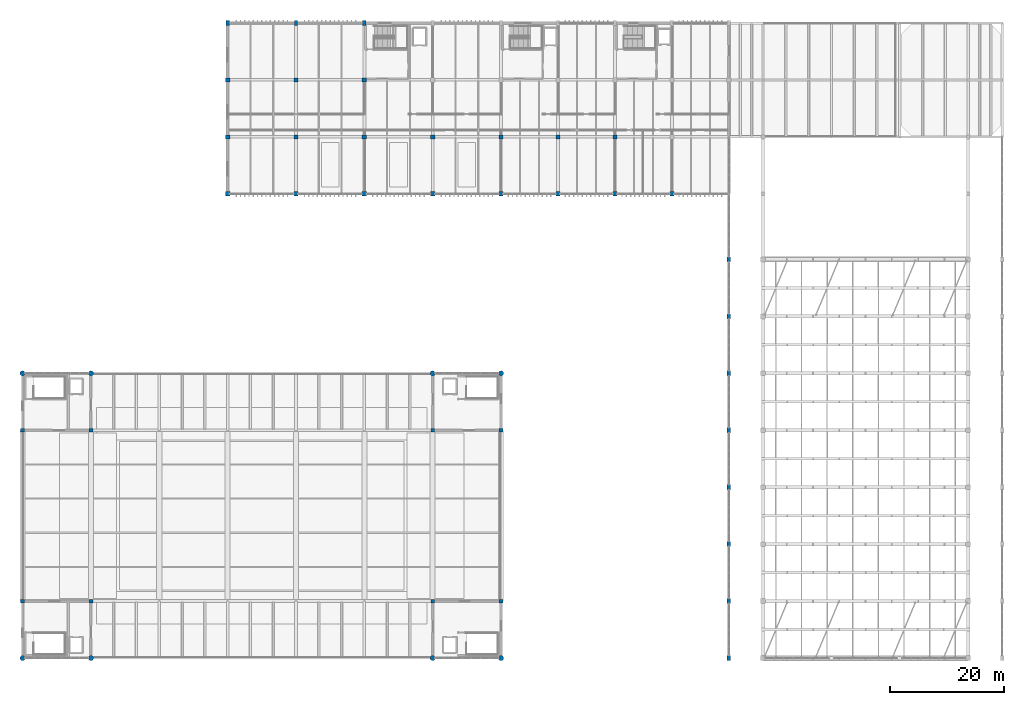
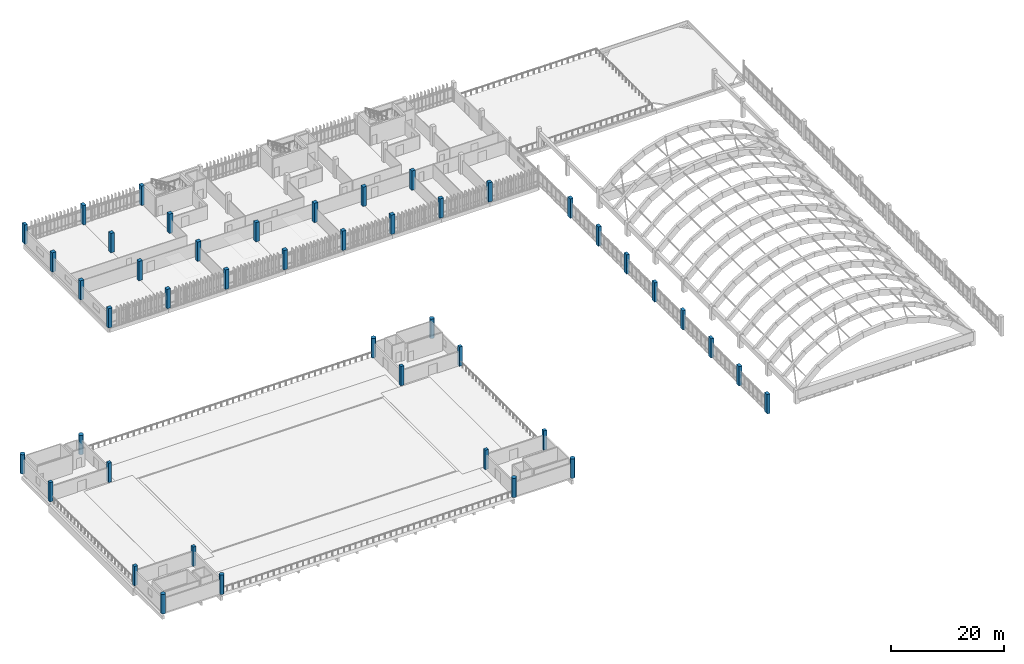
# One storey, part 1 of 111: 45 columns.
"""IFC4 building model written with IfcOpenShell, lengths in metres."""

from ifc_helpers import new_model, si_unit, direction, frame, origin, origin_2d, place, context, subcontext, project, spatial, rectangle, circle, extrude, material, material_profile, profile_set, type_object, element, save


model = new_model("IFC4")

# Units and contexts
model_context = context("Model", 3, precision=1e-05, world=origin(), true_north=direction((0.0, 1.0)))
body_context = subcontext(model_context, "Body", "Model", "MODEL_VIEW")
ifc_project = project(units=[si_unit("LENGTHUNIT", "METRE"), si_unit("AREAUNIT", "SQUARE_METRE"), si_unit("VOLUMEUNIT", "CUBIC_METRE"), si_unit("PLANEANGLEUNIT", "RADIAN"), si_unit("MASSUNIT", "GRAM", prefix="KILO")], contexts=[model_context])

# Site, building, storey
site_placement = place(None, origin())
site = spatial("IfcSite", under=ifc_project, at=site_placement, CompositionType="ELEMENT")
building_placement = place(site_placement, origin())
building = spatial("IfcBuilding", under=site, at=building_placement, Name="Mersad Railyard Sports Hall", CompositionType="ELEMENT")
storey_placement = place(building_placement, frame((0.0, 0.0, 9.0)))
storey = spatial("IfcBuildingStorey", under=building, at=storey_placement, Name="L02", CompositionType="ELEMENT", Elevation=9.0)

# Columns
ifc_material_1 = material(Name="Concrete C50/60", Category="concrete")
ifc_material_profile_1 = material_profile(ifc_material_1, rectangle(XDim=0.75, YDim=0.75, at=origin_2d()), Name="RC 750x750")
ifc_profile_set_1 = profile_set([ifc_material_profile_1], Name="Concrete C50/60")
column_type_1 = type_object("IfcColumnType", Name="STR-COL-C03", PredefinedType="COLUMN", material=ifc_profile_set_1)
for number, where, z_axis, x_axis, name in (
    (1, (43.0, 85.0, 0.0), (0.0, 0.0, 1.0), (1.0, 0.0, 0.0), "Column C03 L02 (43.0,85.0)"),
    (2, (43.0, 95.0, 0.0), (0.0, 0.0, 1.0), (1.0, 0.0, 0.0), "Column C03 L02 (43.0,95.0)"),
    (3, (43.0, 105.0, 0.0), (0.0, 0.0, 1.0), (1.0, 0.0, 0.0), "Column C03 L02 (43.0,105.0)"),
    (4, (55.0, 85.0, 0.0), (0.0, 0.0, 1.0), (1.0, 0.0, 0.0), "Column C03 L02 (55.0,85.0)"),
    (5, (55.0, 95.0, 0.0), (0.0, 0.0, 1.0), (1.0, 0.0, 0.0), "Column C03 L02 (55.0,95.0)"),
    (6, (55.0, 105.0, 0.0), (0.0, 0.0, 1.0), (1.0, 0.0, 0.0), "Column C03 L02 (55.0,105.0)"),
    (7, (67.0, 85.0, 0.0), (0.0, 0.0, 1.0), (1.0, 0.0, 0.0), "Column C03 L02 (67.0,85.0)"),
    (8, (67.0, 95.0, 0.0), (0.0, 0.0, 1.0), (1.0, 0.0, 0.0), "Column C03 L02 (67.0,95.0)"),
    (9, (67.0, 105.0, 0.0), (0.0, 0.0, 1.0), (1.0, 0.0, 0.0), "Column C03 L02 (67.0,105.0)"),
    (10, (79.0, 85.0, 0.0), (0.0, 0.0, 1.0), (1.0, 0.0, 0.0), "Column C03 L02 (79.0,85.0)"),
    (11, (79.0, 95.0, 0.0), (0.0, 0.0, 1.0), (1.0, 0.0, 0.0), "Column C03 L02 (79.0,95.0)"),
    (12, (91.0, 85.0, 0.0), (0.0, 0.0, 1.0), (1.0, 0.0, 0.0), "Column C03 L02 (91.0,85.0)"),
    (13, (91.0, 95.0, 0.0), (0.0, 0.0, 1.0), (1.0, 0.0, 0.0), "Column C03 L02 (91.0,95.0)"),
    (14, (101.0, 85.0, 0.0), (0.0, 0.0, 1.0), (1.0, 0.0, 0.0), "Column C03 L02 (101.0,85.0)"),
    (15, (101.0, 95.0, 0.0), (0.0, 0.0, 1.0), (1.0, 0.0, 0.0), "Column C03 L02 (101.0,95.0)"),
    (16, (111.0, 85.0, 0.0), (0.0, 0.0, 1.0), (1.0, 0.0, 0.0), "Column C03 L02 (111.0,85.0)"),
    (17, (111.0, 95.0, 0.0), (0.0, 0.0, 1.0), (1.0, 0.0, 0.0), "Column C03 L02 (111.0,95.0)"),
    (18, (121.0, 85.0, 0.0), (0.0, 0.0, 1.0), (1.0, 0.0, 0.0), "Column C03 L02 (121.0,85.0)"),
):
    element("IfcColumn", number, at=place(storey_placement, frame(where, z_axis=z_axis, x_axis=x_axis)), inside=storey, type_object=column_type_1, Name=name, PredefinedType="COLUMN", context=body_context, shape_type="SweptSolid", body=[
        extrude(rectangle(XDim=0.75, YDim=0.75, at=origin_2d()), origin(), (0.0, 0.0, 1.0), 4.199951171875),
    ])
ifc_material_2 = material(Name="Concrete C40/50", Category="concrete")
ifc_material_profile_2 = material_profile(ifc_material_2, rectangle(XDim=0.64990234375, YDim=0.64990234375, at=origin_2d()), Name="RC 650x650")
ifc_profile_set_2 = profile_set([ifc_material_profile_2], Name="Concrete C40/50")
column_type_2 = type_object("IfcColumnType", Name="STR-COL-C04", PredefinedType="COLUMN", material=ifc_profile_set_2)
for number, where, z_axis, x_axis, name in (
    (19, (7.0, 13.5, 0.0), (0.0, 0.0, 1.0), (1.0, 0.0, 0.0), "Column C04 L02 (7.0,13.5)"),
    (20, (19.0, 13.5, 0.0), (0.0, 0.0, 1.0), (1.0, 0.0, 0.0), "Column C04 L02 (19.0,13.5)"),
    (21, (79.0, 13.5, 0.0), (0.0, 0.0, 1.0), (1.0, 0.0, 0.0), "Column C04 L02 (79.0,13.5)"),
    (22, (91.0, 13.5, 0.0), (0.0, 0.0, 1.0), (1.0, 0.0, 0.0), "Column C04 L02 (91.0,13.5)"),
    (23, (7.0, 43.5, 0.0), (0.0, 0.0, 1.0), (1.0, 0.0, 0.0), "Column C04 L02 (7.0,43.5)"),
    (24, (19.0, 43.5, 0.0), (0.0, 0.0, 1.0), (1.0, 0.0, 0.0), "Column C04 L02 (19.0,43.5)"),
    (25, (79.0, 43.5, 0.0), (0.0, 0.0, 1.0), (1.0, 0.0, 0.0), "Column C04 L02 (79.0,43.5)"),
    (26, (91.0, 43.5, 0.0), (0.0, 0.0, 1.0), (1.0, 0.0, 0.0), "Column C04 L02 (91.0,43.5)"),
):
    element("IfcColumn", number, at=place(storey_placement, frame(where, z_axis=z_axis, x_axis=x_axis)), inside=storey, type_object=column_type_2, Name=name, PredefinedType="COLUMN", context=body_context, shape_type="SweptSolid", body=[
        extrude(rectangle(XDim=0.64990234375, YDim=0.64990234375, at=origin_2d()), origin(), (0.0, 0.0, 1.0), 4.199951171875),
    ])
ifc_material_profile_3 = material_profile(ifc_material_1, rectangle(XDim=0.60009765625, YDim=0.89990234375, at=origin_2d()), Name="RC 600x900")
ifc_profile_set_3 = profile_set([ifc_material_profile_3], Name="Concrete C50/60")
column_type_3 = type_object("IfcColumnType", Name="STR-COL-C07", PredefinedType="COLUMN", material=ifc_profile_set_3)
for number, where, z_axis, x_axis, name in (
    (27, (131.0, 3.5, 0.0), (0.0, 0.0, 1.0), (1.0, 0.0, 0.0), "Column C07 L02 (131.0,3.5)"),
    (28, (131.0, 13.5, 0.0), (0.0, 0.0, 1.0), (1.0, 0.0, 0.0), "Column C07 L02 (131.0,13.5)"),
    (29, (131.0, 23.5, 0.0), (0.0, 0.0, 1.0), (1.0, 0.0, 0.0), "Column C07 L02 (131.0,23.5)"),
    (30, (131.0, 33.5, 0.0), (0.0, 0.0, 1.0), (1.0, 0.0, 0.0), "Column C07 L02 (131.0,33.5)"),
    (31, (131.0, 43.5, 0.0), (0.0, 0.0, 1.0), (1.0, 0.0, 0.0), "Column C07 L02 (131.0,43.5)"),
    (32, (131.0, 53.5, 0.0), (0.0, 0.0, 1.0), (1.0, 0.0, 0.0), "Column C07 L02 (131.0,53.5)"),
    (33, (131.0, 63.5, 0.0), (0.0, 0.0, 1.0), (1.0, 0.0, 0.0), "Column C07 L02 (131.0,63.5)"),
    (34, (131.0, 73.5, 0.0), (0.0, 0.0, 1.0), (1.0, 0.0, 0.0), "Column C07 L02 (131.0,73.5)"),
    (35, (43.0, 115.0, 0.0), (0.0, 0.0, 1.0), (1.0, 0.0, 0.0), "Column C07 L02 (43.0,115.0)"),
    (36, (55.0, 115.0, 0.0), (0.0, 0.0, 1.0), (1.0, 0.0, 0.0), "Column C07 L02 (55.0,115.0)"),
    (37, (67.0, 115.0, 0.0), (0.0, 0.0, 1.0), (1.0, 0.0, 0.0), "Column C07 L02 (67.0,115.0)"),
):
    element("IfcColumn", number, at=place(storey_placement, frame(where, z_axis=z_axis, x_axis=x_axis)), inside=storey, type_object=column_type_3, Name=name, PredefinedType="COLUMN", context=body_context, shape_type="SweptSolid", body=[
        extrude(rectangle(XDim=0.60009765625, YDim=0.89990234375, at=origin_2d()), origin(), (0.0, 0.0, 1.0), 4.199951171875),
    ])
ifc_material_3 = material(Name="Architectural concrete C50/60", Category="concrete")
ifc_material_profile_4 = material_profile(ifc_material_3, circle(Radius=0.449951171875, at=origin_2d()), Name="RC D900")
ifc_profile_set_4 = profile_set([ifc_material_profile_4], Name="Architectural concrete C50/60")
column_type_4 = type_object("IfcColumnType", Name="STR-COL-C09", PredefinedType="COLUMN", material=ifc_profile_set_4)
for number, where, z_axis, x_axis, name in (
    (38, (7.0, 3.5, 0.0), (0.0, 0.0, 1.0), (1.0, 0.0, 0.0), "Column C09 L02 (7.0,3.5)"),
    (39, (19.0, 3.5, 0.0), (0.0, 0.0, 1.0), (1.0, 0.0, 0.0), "Column C09 L02 (19.0,3.5)"),
    (40, (79.0, 3.5, 0.0), (0.0, 0.0, 1.0), (1.0, 0.0, 0.0), "Column C09 L02 (79.0,3.5)"),
    (41, (91.0, 3.5, 0.0), (0.0, 0.0, 1.0), (1.0, 0.0, 0.0), "Column C09 L02 (91.0,3.5)"),
    (42, (7.0, 53.5, 0.0), (0.0, 0.0, 1.0), (1.0, 0.0, 0.0), "Column C09 L02 (7.0,53.5)"),
    (43, (19.0, 53.5, 0.0), (0.0, 0.0, 1.0), (1.0, 0.0, 0.0), "Column C09 L02 (19.0,53.5)"),
    (44, (79.0, 53.5, 0.0), (0.0, 0.0, 1.0), (1.0, 0.0, 0.0), "Column C09 L02 (79.0,53.5)"),
    (45, (91.0, 53.5, 0.0), (0.0, 0.0, 1.0), (1.0, 0.0, 0.0), "Column C09 L02 (91.0,53.5)"),
):
    element("IfcColumn", number, at=place(storey_placement, frame(where, z_axis=z_axis, x_axis=x_axis)), inside=storey, type_object=column_type_4, Name=name, PredefinedType="COLUMN", context=body_context, shape_type="SweptSolid", body=[
        extrude(circle(Radius=0.449951171875, at=origin_2d()), origin(), (0.0, 0.0, 1.0), 4.199951171875),
    ])

save(model, "model.ifc")
